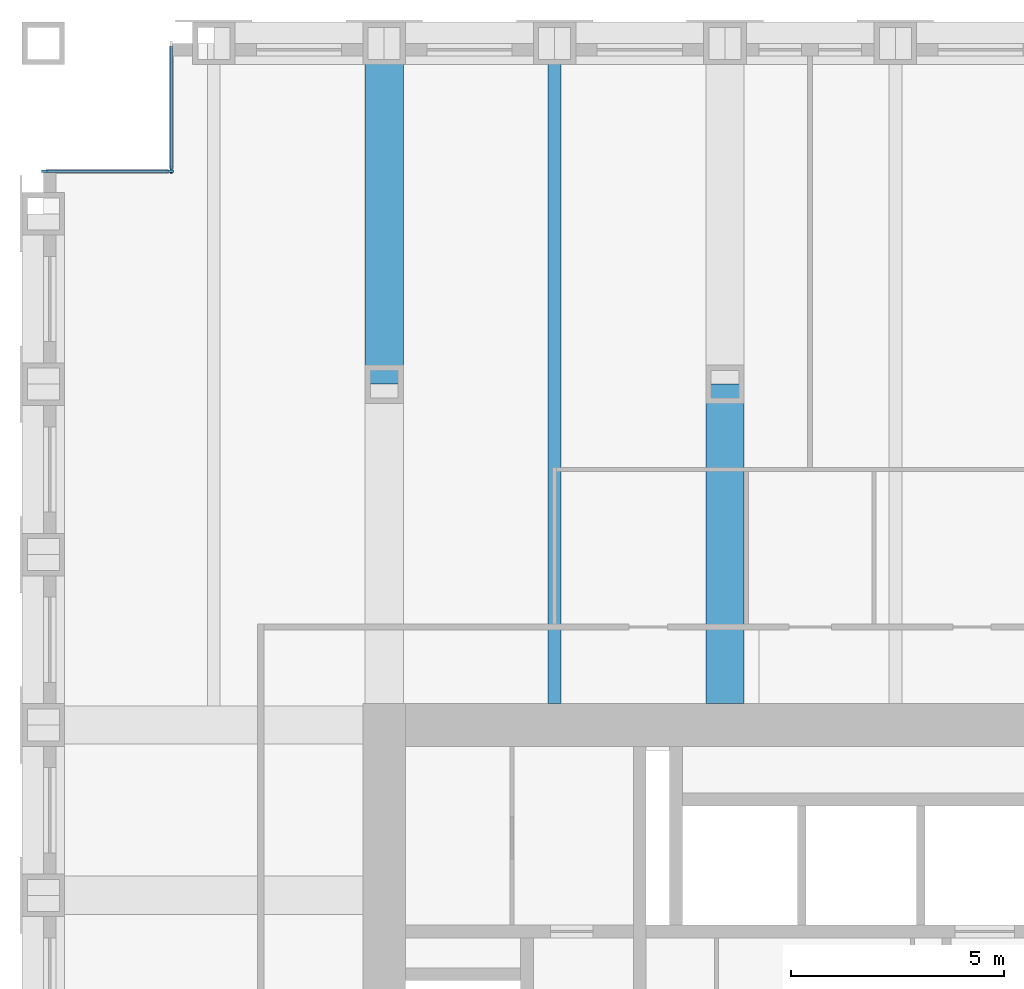
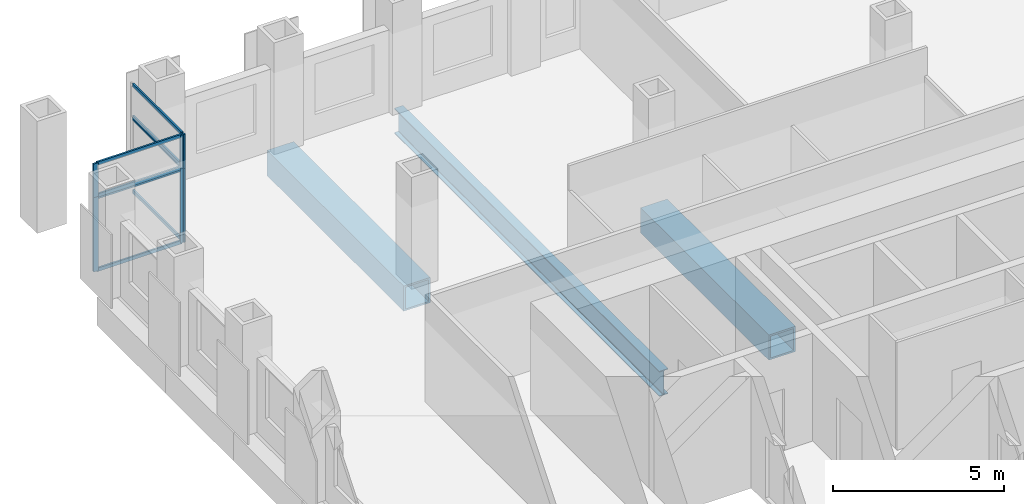
# One storey, part 6 of 16: 14 members, 3 beams, 4 elements without a shape of their own.
"""IFC4 building model written with IfcOpenShell, lengths in metres."""

from ifc_helpers import new_model, si_unit, direction, frame, origin, origin_2d, place, context, subcontext, project, spatial, rectangle, hollow_rectangle, i_section, extrude, material, material_profile, profile_set, type_object, element, aggregate, save


model = new_model("IFC4")

# Units and contexts
model_context = context("Model", 3, precision=1e-05, world=origin(), true_north=direction((0.0, 1.0)))
body_context = subcontext(model_context, "Body", "Model", "MODEL_VIEW")
ifc_project = project(units=[si_unit("LENGTHUNIT", "METRE"), si_unit("AREAUNIT", "SQUARE_METRE"), si_unit("VOLUMEUNIT", "CUBIC_METRE"), si_unit("PLANEANGLEUNIT", "RADIAN"), si_unit("MASSUNIT", "GRAM", prefix="KILO")], contexts=[model_context])

# Site, building, storey
site_placement = place(None, origin())
site = spatial("IfcSite", under=ifc_project, at=site_placement, CompositionType="ELEMENT")
building_placement = place(site_placement, origin())
building = spatial("IfcBuilding", under=site, at=building_placement, Name="Rimbunsela Tower", CompositionType="ELEMENT")
storey_placement = place(building_placement, frame((0.0, 0.0, 133.39990234375)))
storey = spatial("IfcBuildingStorey", under=building, at=storey_placement, Name="L32", CompositionType="ELEMENT", Elevation=133.39990234375)

# Beams
ifc_material_1 = material(Name="Steel BJ 55 (fy 410 MPa)", Category="steel")
ifc_material_profile_1 = material_profile(ifc_material_1, hollow_rectangle(XDim=0.89990234375, YDim=0.89990234375, WallThickness=0.06005859375, at=origin_2d()), Name="BOX 900x900x60")
ifc_profile_set_1 = profile_set([ifc_material_profile_1], Name="Steel BJ 55 (fy 410 MPa)")
beam_type_1 = type_object("IfcBeamType", Name="Beam BOX 900x900x60", PredefinedType="BEAM", material=ifc_profile_set_1)
beam_1_placement = place(storey_placement, frame((18.0, 44.0, -0.599853515625), z_axis=(0.0, 1.0, 0.0), x_axis=(-1.0, 0.0, 0.0)))
element("IfcBeam", 1, at=beam_1_placement, inside=storey, type_object=beam_type_1, Name="Beam B1 L32", PredefinedType="BEAM", context=body_context, shape_type="SweptSolid", body=[
    extrude(hollow_rectangle(XDim=0.89990234375, YDim=0.89990234375, WallThickness=0.06005859375, at=origin_2d()), origin(), (0.0, 0.0, 1.0), 8.0),
])
beam_2_placement = place(storey_placement, frame((26.0, 36.5, -0.599853515625), z_axis=(0.0, 1.0, 0.0), x_axis=(-1.0, 0.0, 0.0)))
element("IfcBeam", 2, at=beam_2_placement, inside=storey, type_object=beam_type_1, Name="Beam B1 L32", PredefinedType="BEAM", context=body_context, shape_type="SweptSolid", body=[
    extrude(hollow_rectangle(XDim=0.89990234375, YDim=0.89990234375, WallThickness=0.06005859375, at=origin_2d()), origin(), (0.0, 0.0, 1.0), 7.5),
])
ifc_material_2 = material(Name="Steel BJ 55 (fy 410 MPa)", Category="steel")
ifc_material_profile_2 = material_profile(ifc_material_2, i_section(OverallWidth=0.300048828125, OverallDepth=0.89990234375, WebThickness=0.01611328125, FlangeThickness=0.028076171875, FilletRadius=0.028076171875, at=origin_2d()), Name="H 900x300x16x28")
ifc_profile_set_2 = profile_set([ifc_material_profile_2], Name="Steel BJ 55 (fy 410 MPa)")
beam_type_2 = type_object("IfcBeamType", Name="Beam H 900x300x16x28", PredefinedType="BEAM", material=ifc_profile_set_2)
beam_3_placement = place(storey_placement, frame((22.0, 36.5, -0.599853515625), z_axis=(0.0, 1.0, 0.0), x_axis=(-1.0, 0.0, 0.0)))
element("IfcBeam", 3, at=beam_3_placement, inside=storey, type_object=beam_type_2, Name="Beam B2 L32", PredefinedType="BEAM", context=body_context, shape_type="SweptSolid", body=[
    extrude(i_section(OverallWidth=0.300048828125, OverallDepth=0.89990234375, WebThickness=0.01611328125, FlangeThickness=0.028076171875, FilletRadius=0.028076171875, at=origin_2d()), origin(), (0.0, 0.0, 1.0), 15.5),
])

# Curtain wall, member
ifc_material_3 = material(Name="Aluminium curtain wall", Category="aluminium")
curtain_wall_type_1 = type_object("IfcCurtainWallType", Name="Corner glazing", PredefinedType="USERDEFINED", material=ifc_material_3)
curtain_wall_1_placement = place(storey_placement, origin())
curtain_wall_1 = element("IfcCurtainWall", 4, at=curtain_wall_1_placement, inside=storey, type_object=curtain_wall_type_1, Name="Corner glazing L32", ObjectType="CORNER GLAZING", PredefinedType="USERDEFINED")
ifc_material_4 = material(Name="Aluminium mullion", Category="aluminium")
ifc_material_profile_3 = material_profile(ifc_material_4, rectangle(XDim=0.06005859375, YDim=0.159912109375, at=origin_2d()), Name="Mullion 60x160")
ifc_profile_set_3 = profile_set([ifc_material_profile_3], Name="Aluminium mullion")
member_type_1 = type_object("IfcMemberType", Name="Curtain wall mullion 60x160", PredefinedType="MULLION", material=ifc_profile_set_3)
member_1_placement = place(storey_placement, frame((13.0, 49.030029296875, 0.0), z_axis=(0.0, 0.0, 1.0), x_axis=(1.0, 0.0, 0.0)))
member_1 = element("IfcMember", 5, at=member_1_placement, type_object=member_type_1, Name="CW5 mullion 2", PredefinedType="MULLION", context=body_context, shape_type="SweptSolid", body=[
    extrude(rectangle(XDim=0.06005859375, YDim=0.159912109375, at=origin_2d()), origin(), (0.0, 0.0, 1.0), 2.650146484375),
])

ifc_material_5 = material(Name="Aluminium curtain wall", Category="aluminium")
curtain_wall_type_2 = type_object("IfcCurtainWallType", Name="Spandrel wall", PredefinedType="USERDEFINED", material=ifc_material_5)
curtain_wall_2_placement = place(storey_placement, origin())
curtain_wall_2 = element("IfcCurtainWall", 6, at=curtain_wall_2_placement, inside=storey, type_object=curtain_wall_type_2, Name="Spandrel wall L32", ObjectType="SPANDREL WALL", PredefinedType="USERDEFINED")
member_2_placement = place(storey_placement, frame((13.0, 49.030029296875, 2.650146484375), z_axis=(0.0, 0.0, 1.0), x_axis=(1.0, 0.0, 0.0)))
member_2 = element("IfcMember", 7, at=member_2_placement, type_object=member_type_1, Name="CW7 mullion 2", PredefinedType="MULLION", context=body_context, shape_type="SweptSolid", body=[
    extrude(rectangle(XDim=0.06005859375, YDim=0.159912109375, at=origin_2d()), origin(), (0.0, 0.0, 1.0), 1.199951171875),
])

# Curtain wall, members
curtain_wall_3_placement = place(storey_placement, origin())
curtain_wall_3 = element("IfcCurtainWall", 8, at=curtain_wall_3_placement, inside=storey, type_object=curtain_wall_type_1, Name="Corner glazing L32", ObjectType="CORNER GLAZING", PredefinedType="USERDEFINED")
member_3_placement = place(storey_placement, frame((12.969970703125, 49.0, 0.0), z_axis=(0.0, 0.0, 1.0), x_axis=(0.0, -1.0, 0.0)))
member_3 = element("IfcMember", 9, at=member_3_placement, type_object=member_type_1, Name="CW5 mullion 1", PredefinedType="MULLION", context=body_context, shape_type="SweptSolid", body=[
    extrude(rectangle(XDim=0.06005859375, YDim=0.159912109375, at=origin_2d()), origin(), (0.0, 0.0, 1.0), 2.650146484375),
])
member_4_placement = place(storey_placement, frame((10.030029296875, 49.0, 0.0), z_axis=(0.0, 0.0, 1.0), x_axis=(0.0, -1.0, 0.0)))
member_4 = element("IfcMember", 10, at=member_4_placement, type_object=member_type_1, Name="CW5 mullion 2", PredefinedType="MULLION", context=body_context, shape_type="SweptSolid", body=[
    extrude(rectangle(XDim=0.06005859375, YDim=0.159912109375, at=origin_2d()), origin(), (0.0, 0.0, 1.0), 2.650146484375),
])

curtain_wall_4_placement = place(storey_placement, origin())
curtain_wall_4 = element("IfcCurtainWall", 11, at=curtain_wall_4_placement, inside=storey, type_object=curtain_wall_type_2, Name="Spandrel wall L32", ObjectType="SPANDREL WALL", PredefinedType="USERDEFINED")
member_5_placement = place(storey_placement, frame((12.969970703125, 49.0, 2.650146484375), z_axis=(0.0, 0.0, 1.0), x_axis=(0.0, -1.0, 0.0)))
member_5 = element("IfcMember", 12, at=member_5_placement, type_object=member_type_1, Name="CW7 mullion 1", PredefinedType="MULLION", context=body_context, shape_type="SweptSolid", body=[
    extrude(rectangle(XDim=0.06005859375, YDim=0.159912109375, at=origin_2d()), origin(), (0.0, 0.0, 1.0), 1.199951171875),
])
member_6_placement = place(storey_placement, frame((10.030029296875, 49.0, 2.650146484375), z_axis=(0.0, 0.0, 1.0), x_axis=(0.0, -1.0, 0.0)))
member_6 = element("IfcMember", 13, at=member_6_placement, type_object=member_type_1, Name="CW7 mullion 2", PredefinedType="MULLION", context=body_context, shape_type="SweptSolid", body=[
    extrude(rectangle(XDim=0.06005859375, YDim=0.159912109375, at=origin_2d()), origin(), (0.0, 0.0, 1.0), 1.199951171875),
])

# Member
ifc_material_6 = material(Name="Aluminium transom", Category="aluminium")
ifc_material_profile_4 = material_profile(ifc_material_6, rectangle(XDim=0.06005859375, YDim=0.1201171875, at=origin_2d()), Name="Transom 60x120")
ifc_profile_set_4 = profile_set([ifc_material_profile_4], Name="Aluminium transom")
member_type_2 = type_object("IfcMemberType", Name="Curtain wall transom 60x120", PredefinedType="USERDEFINED", material=ifc_profile_set_4)
member_7_placement = place(storey_placement, frame((13.0, 51.93994140625, 0.030029296875), z_axis=(0.0, -1.0, 0.0), x_axis=(1.0, 0.0, 0.0)))
member_7 = element("IfcMember", 14, at=member_7_placement, type_object=member_type_2, Name="CW5 transom 1.1", ObjectType="TRANSOM", PredefinedType="USERDEFINED", context=body_context, shape_type="SweptSolid", body=[
    extrude(rectangle(XDim=0.06005859375, YDim=0.1201171875, at=origin_2d()), origin(), (0.0, 0.0, 1.0), 2.8798828125),
])

member_8_placement = place(storey_placement, frame((13.0, 51.93994140625, 2.6201171875), z_axis=(0.0, -1.0, 0.0), x_axis=(1.0, 0.0, 0.0)))
member_8 = element("IfcMember", 15, at=member_8_placement, type_object=member_type_2, Name="CW5 transom 1.2", ObjectType="TRANSOM", PredefinedType="USERDEFINED", context=body_context, shape_type="SweptSolid", body=[
    extrude(rectangle(XDim=0.06005859375, YDim=0.1201171875, at=origin_2d()), origin(), (0.0, 0.0, 1.0), 2.8798828125),
])

aggregate(curtain_wall_1, [member_1, member_7, member_8])

member_9_placement = place(storey_placement, frame((13.0, 51.93994140625, 2.68017578125), z_axis=(0.0, -1.0, 0.0), x_axis=(1.0, 0.0, 0.0)))
member_9 = element("IfcMember", 16, at=member_9_placement, type_object=member_type_2, Name="CW7 transom 1.1", ObjectType="TRANSOM", PredefinedType="USERDEFINED", context=body_context, shape_type="SweptSolid", body=[
    extrude(rectangle(XDim=0.06005859375, YDim=0.1201171875, at=origin_2d()), origin(), (0.0, 0.0, 1.0), 2.8798828125),
])

member_10_placement = place(storey_placement, frame((13.0, 51.93994140625, 3.820068359375), z_axis=(0.0, -1.0, 0.0), x_axis=(1.0, 0.0, 0.0)))
member_10 = element("IfcMember", 17, at=member_10_placement, type_object=member_type_2, Name="CW7 transom 1.2", ObjectType="TRANSOM", PredefinedType="USERDEFINED", context=body_context, shape_type="SweptSolid", body=[
    extrude(rectangle(XDim=0.06005859375, YDim=0.1201171875, at=origin_2d()), origin(), (0.0, 0.0, 1.0), 2.8798828125),
])

aggregate(curtain_wall_2, [member_2, member_9, member_10])

member_11_placement = place(storey_placement, frame((12.93994140625, 49.0, 0.030029296875), z_axis=(-1.0, 0.0, 0.0), x_axis=(0.0, -1.0, 0.0)))
member_11 = element("IfcMember", 18, at=member_11_placement, type_object=member_type_2, Name="CW5 transom 1.1", ObjectType="TRANSOM", PredefinedType="USERDEFINED", context=body_context, shape_type="SweptSolid", body=[
    extrude(rectangle(XDim=0.06005859375, YDim=0.1201171875, at=origin_2d()), origin(), (0.0, 0.0, 1.0), 2.8798828125),
])

member_12_placement = place(storey_placement, frame((12.93994140625, 49.0, 2.6201171875), z_axis=(-1.0, 0.0, 0.0), x_axis=(0.0, -1.0, 0.0)))
member_12 = element("IfcMember", 19, at=member_12_placement, type_object=member_type_2, Name="CW5 transom 1.2", ObjectType="TRANSOM", PredefinedType="USERDEFINED", context=body_context, shape_type="SweptSolid", body=[
    extrude(rectangle(XDim=0.06005859375, YDim=0.1201171875, at=origin_2d()), origin(), (0.0, 0.0, 1.0), 2.8798828125),
])

aggregate(curtain_wall_3, [member_3, member_4, member_11, member_12])

member_13_placement = place(storey_placement, frame((12.93994140625, 49.0, 2.68017578125), z_axis=(-1.0, 0.0, 0.0), x_axis=(0.0, -1.0, 0.0)))
member_13 = element("IfcMember", 20, at=member_13_placement, type_object=member_type_2, Name="CW7 transom 1.1", ObjectType="TRANSOM", PredefinedType="USERDEFINED", context=body_context, shape_type="SweptSolid", body=[
    extrude(rectangle(XDim=0.06005859375, YDim=0.1201171875, at=origin_2d()), origin(), (0.0, 0.0, 1.0), 2.8798828125),
])

member_14_placement = place(storey_placement, frame((12.93994140625, 49.0, 3.820068359375), z_axis=(-1.0, 0.0, 0.0), x_axis=(0.0, -1.0, 0.0)))
member_14 = element("IfcMember", 21, at=member_14_placement, type_object=member_type_2, Name="CW7 transom 1.2", ObjectType="TRANSOM", PredefinedType="USERDEFINED", context=body_context, shape_type="SweptSolid", body=[
    extrude(rectangle(XDim=0.06005859375, YDim=0.1201171875, at=origin_2d()), origin(), (0.0, 0.0, 1.0), 2.8798828125),
])

aggregate(curtain_wall_4, [member_5, member_6, member_13, member_14])

save(model, "model.ifc")
